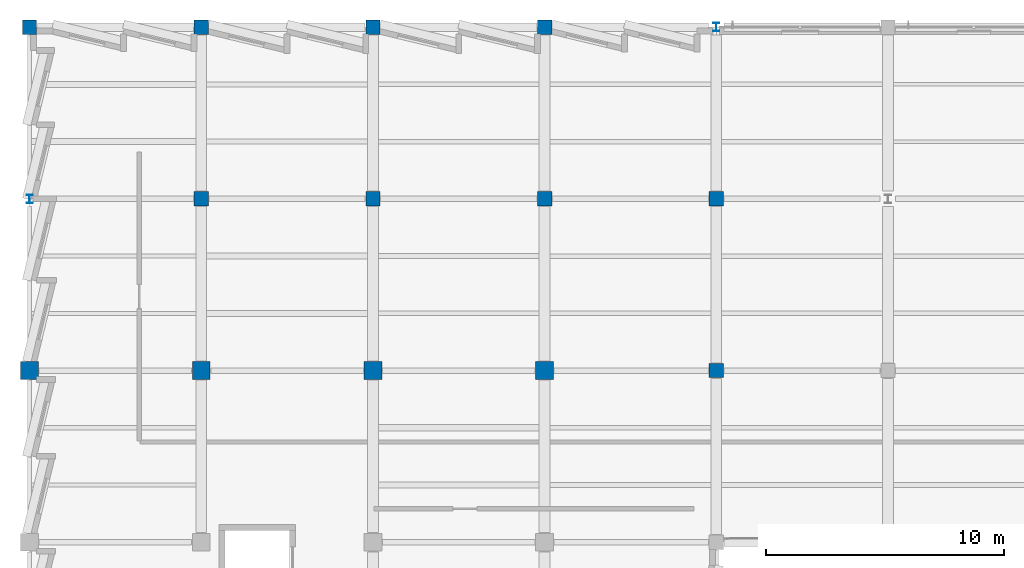
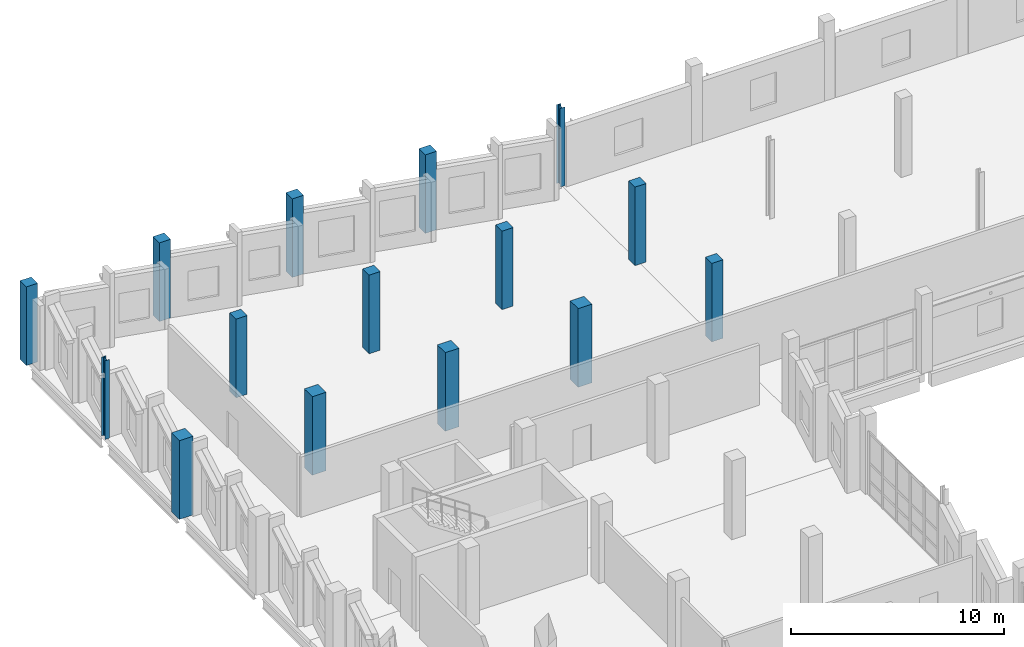
# One storey, part 12 of 123: 15 columns.
"""IFC4 building model written with IfcOpenShell, lengths in metres."""

from ifc_helpers import new_model, si_unit, direction, frame, origin, origin_2d, place, context, subcontext, project, spatial, rectangle, i_section, extrude, material, material_profile, profile_set, type_object, element, save


model = new_model("IFC4")

# Units and contexts
model_context = context("Model", 3, precision=1e-05, world=origin(), true_north=direction((0.0, 1.0)))
body_context = subcontext(model_context, "Body", "Model", "MODEL_VIEW")
ifc_project = project(units=[si_unit("LENGTHUNIT", "METRE"), si_unit("AREAUNIT", "SQUARE_METRE"), si_unit("VOLUMEUNIT", "CUBIC_METRE"), si_unit("PLANEANGLEUNIT", "RADIAN"), si_unit("MASSUNIT", "GRAM", prefix="KILO")], contexts=[model_context])

# Site, building, storey
site_placement = place(None, origin())
site = spatial("IfcSite", under=ifc_project, at=site_placement, CompositionType="ELEMENT")
building_placement = place(site_placement, origin())
building = spatial("IfcBuilding", under=site, at=building_placement, Name="Kalmorath City Hall", CompositionType="ELEMENT")
storey_placement = place(building_placement, frame((0.0, 0.0, 10.199951171875)))
storey = spatial("IfcBuildingStorey", under=building, at=storey_placement, Name="L02", CompositionType="ELEMENT", Elevation=10.199951171875)

# Columns
ifc_material_1 = material(Name="Concrete C50/60", Category="concrete")
ifc_material_profile_1 = material_profile(ifc_material_1, rectangle(XDim=0.60009765625, YDim=0.60009765625, at=origin_2d()), Name="RC-COL-600X600")
ifc_profile_set_1 = profile_set([ifc_material_profile_1], Name="Concrete C50/60")
column_type_1 = type_object("IfcColumnType", Name="Concrete column 600x600", PredefinedType="COLUMN", material=ifc_profile_set_1)
for number, where, z_axis, x_axis, name in (
    (1, (0.0, 115.199951171875, 0.0), (0.0, 0.0, 1.0), (1.0, 0.0, 0.0), "L02 column C6 (1/17)"),
    (2, (7.199951171875, 108.0, 0.0), (0.0, 0.0, 1.0), (1.0, 0.0, 0.0), "L02 column C6 (2/16)"),
    (3, (7.199951171875, 115.199951171875, 0.0), (0.0, 0.0, 1.0), (1.0, 0.0, 0.0), "L02 column C6 (2/17)"),
    (4, (14.39990234375, 108.0, 0.0), (0.0, 0.0, 1.0), (1.0, 0.0, 0.0), "L02 column C6 (3/16)"),
    (5, (14.39990234375, 115.199951171875, 0.0), (0.0, 0.0, 1.0), (1.0, 0.0, 0.0), "L02 column C6 (3/17)"),
    (6, (21.60009765625, 108.0, 0.0), (0.0, 0.0, 1.0), (1.0, 0.0, 0.0), "L02 column C6 (4/16)"),
    (7, (21.60009765625, 115.199951171875, 0.0), (0.0, 0.0, 1.0), (1.0, 0.0, 0.0), "L02 column C6 (4/17)"),
    (8, (28.800048828125, 100.800048828125, 0.0), (0.0, 0.0, 1.0), (1.0, 0.0, 0.0), "L02 column C6 (5/15)"),
    (9, (28.800048828125, 108.0, 0.0), (0.0, 0.0, 1.0), (1.0, 0.0, 0.0), "L02 column C6 (5/16)"),
):
    element("IfcColumn", number, at=place(storey_placement, frame(where, z_axis=z_axis, x_axis=x_axis)), inside=storey, type_object=column_type_1, Name=name, PredefinedType="COLUMN", context=body_context, shape_type="SweptSolid", body=[
        extrude(rectangle(XDim=0.60009765625, YDim=0.60009765625, at=origin_2d()), origin(), (0.0, 0.0, 1.0), 4.5),
    ])
ifc_material_2 = material(Name="Concrete C50/60", Category="concrete")
ifc_material_profile_2 = material_profile(ifc_material_2, rectangle(XDim=0.75, YDim=0.75, at=origin_2d()), Name="RC-COL-750X750")
ifc_profile_set_2 = profile_set([ifc_material_profile_2], Name="Concrete C50/60")
column_type_2 = type_object("IfcColumnType", Name="Concrete column 750x750", PredefinedType="COLUMN", material=ifc_profile_set_2)
for number, where, z_axis, x_axis, name in (
    (10, (0.0, 100.800048828125, 0.0), (0.0, 0.0, 1.0), (1.0, 0.0, 0.0), "L02 column C3 (1/15)"),
    (11, (7.199951171875, 100.800048828125, 0.0), (0.0, 0.0, 1.0), (1.0, 0.0, 0.0), "L02 column C3 (2/15)"),
    (12, (14.39990234375, 100.800048828125, 0.0), (0.0, 0.0, 1.0), (1.0, 0.0, 0.0), "L02 column C3 (3/15)"),
    (13, (21.60009765625, 100.800048828125, 0.0), (0.0, 0.0, 1.0), (1.0, 0.0, 0.0), "L02 column C3 (4/15)"),
):
    element("IfcColumn", number, at=place(storey_placement, frame(where, z_axis=z_axis, x_axis=x_axis)), inside=storey, type_object=column_type_2, Name=name, PredefinedType="COLUMN", context=body_context, shape_type="SweptSolid", body=[
        extrude(rectangle(XDim=0.75, YDim=0.75, at=origin_2d()), origin(), (0.0, 0.0, 1.0), 4.5),
    ])
ifc_material_3 = material(Name="Steel ASTM A992 Grade 50", Category="steel")
ifc_material_profile_3 = material_profile(ifc_material_3, i_section(OverallWidth=0.25390625, OverallDepth=0.35302734375, WebThickness=0.009521484375, FlangeThickness=0.016357421875, FilletRadius=0.014892578125, at=origin_2d()), Name="W14X61")
ifc_profile_set_3 = profile_set([ifc_material_profile_3], Name="Steel ASTM A992 Grade 50")
column_type_3 = type_object("IfcColumnType", Name="Steel wide-flange column W14X61", PredefinedType="COLUMN", material=ifc_profile_set_3)
for number, where, z_axis, x_axis, name in (
    (14, (0.0, 108.0, 0.0), (0.0, 0.0, 1.0), (1.0, 0.0, 0.0), "L02 column SC1 (1/16)"),
    (15, (28.800048828125, 115.199951171875, 0.0), (0.0, 0.0, 1.0), (1.0, 0.0, 0.0), "L02 column SC1 (5/17)"),
):
    element("IfcColumn", number, at=place(storey_placement, frame(where, z_axis=z_axis, x_axis=x_axis)), inside=storey, type_object=column_type_3, Name=name, PredefinedType="COLUMN", context=body_context, shape_type="SweptSolid", body=[
        extrude(i_section(OverallWidth=0.25390625, OverallDepth=0.35302734375, WebThickness=0.009521484375, FlangeThickness=0.016357421875, FilletRadius=0.014892578125, at=origin_2d()), origin(), (0.0, 0.0, 1.0), 4.5),
    ])

save(model, "model.ifc")
